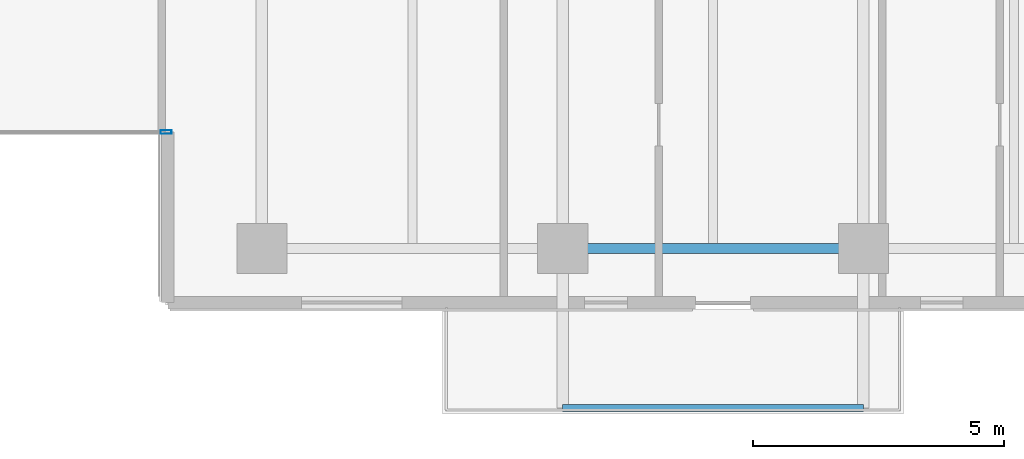
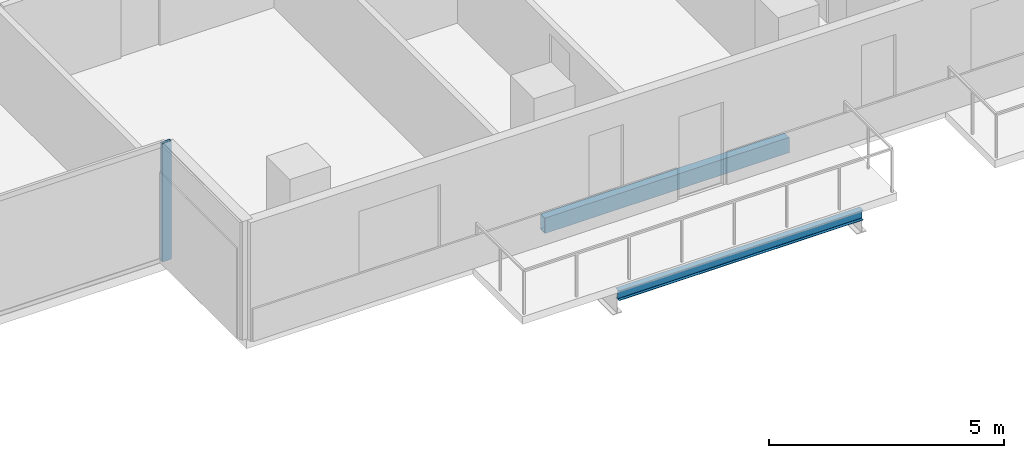
# One storey, part 4 of 23: 2 beams, 1 member, 1 element without a shape of its own.
"""IFC4 building model written with IfcOpenShell, lengths in metres."""

from ifc_helpers import new_model, si_unit, direction, frame, origin, origin_2d, place, context, subcontext, project, spatial, hollow_rectangle, i_section, extrude, material, layer, layer_set, material_profile, profile_set, type_object, element, aggregate, save


model = new_model("IFC4")

# Units and contexts
model_context = context("Model", 3, precision=1e-05, world=origin(), true_north=direction((0.0, 1.0)))
body_context = subcontext(model_context, "Body", "Model", "MODEL_VIEW")
ifc_project = project(units=[si_unit("LENGTHUNIT", "METRE"), si_unit("AREAUNIT", "SQUARE_METRE"), si_unit("VOLUMEUNIT", "CUBIC_METRE"), si_unit("PLANEANGLEUNIT", "RADIAN"), si_unit("MASSUNIT", "GRAM", prefix="KILO")], contexts=[model_context])

# Site, building, storey
site_placement = place(None, origin())
site = spatial("IfcSite", under=ifc_project, at=site_placement, CompositionType="ELEMENT")
building_placement = place(site_placement, origin())
building = spatial("IfcBuilding", under=site, at=building_placement, Name="Tanjung Sevakor Pilgrim Tower", CompositionType="ELEMENT")
storey_placement = place(building_placement, frame((0.0, 0.0, 98.669921875)))
storey = spatial("IfcBuildingStorey", under=building, at=storey_placement, Name="L27", CompositionType="ELEMENT", Elevation=98.669921875)

# Beams
ifc_material_1 = material(Name="Steel S355J2", Category="steel")
ifc_material_profile_1 = material_profile(ifc_material_1, i_section(OverallWidth=0.146484375, OverallDepth=0.256103515625, WebThickness=0.00634765625, FlangeThickness=0.010986328125, FilletRadius=0.007568359375, at=origin_2d()))
ifc_profile_set_1 = profile_set([ifc_material_profile_1], Name="Steel S355J2")
beam_type_1 = type_object("IfcBeamType", Name="BM-B-J6-UB_254x146x37", PredefinedType="JOIST", material=ifc_profile_set_1)
beam_1_placement = place(storey_placement, frame((60.0, 7.6201171875, -0.327880859375), z_axis=(1.0, 0.0, 0.0), x_axis=(0.0, 1.0, 0.0)))
element("IfcBeam", 1, at=beam_1_placement, inside=storey, type_object=beam_type_1, Name="L27 Balcony Rim Tie MAIN-S2", PredefinedType="JOIST", context=body_context, shape_type="SweptSolid", body=[
    extrude(i_section(OverallWidth=0.146484375, OverallDepth=0.256103515625, WebThickness=0.00634765625, FlangeThickness=0.010986328125, FilletRadius=0.007568359375, at=origin_2d()), origin(), (0.0, 0.0, 1.0), 6.0),
])
ifc_material_2 = material(Name="Steel S355J2", Category="steel")
ifc_material_profile_2 = material_profile(ifc_material_2, hollow_rectangle(XDim=0.199951171875, YDim=0.39990234375, WallThickness=0.01611328125, at=origin_2d()))
ifc_profile_set_2 = profile_set([ifc_material_profile_2], Name="Steel S355J2")
beam_type_2 = type_object("IfcBeamType", Name="BM-B-SP2-RHS_400x200x16", PredefinedType="SPANDREL", material=ifc_profile_set_2)
beam_2_placement = place(storey_placement, frame((60.0, 10.800048828125, -0.419921875), z_axis=(1.0, 0.0, 0.0), x_axis=(0.0, 1.0, 0.0)))
element("IfcBeam", 2, at=beam_2_placement, inside=storey, type_object=beam_type_2, Name="L27 Spandrel MAIN S-09", PredefinedType="SPANDREL", context=body_context, shape_type="SweptSolid", body=[
    extrude(hollow_rectangle(XDim=0.199951171875, YDim=0.39990234375, WallThickness=0.01611328125, at=origin_2d()), origin(), (0.0, 0.0, 1.0), 6.0),
])

# Curtain wall, member
ifc_material_3 = material(Name="Aluminium 6063-T6 and Low-E Glass", Category="aluminium")
ifc_layer = layer(ifc_material_3, 0.179931640625)
ifc_layer_set = layer_set([ifc_layer], Name="CW-SYS-CLEFT")
curtain_wall_type = type_object("IfcCurtainWallType", Name="CW-SYS-CLEFT", PredefinedType="NOTDEFINED", material=ifc_layer_set)
curtain_wall_placement = place(storey_placement, origin())
curtain_wall = element("IfcCurtainWall", 3, at=curtain_wall_placement, inside=storey, type_object=curtain_wall_type, Name="L27 Curtain Wall CW-CLF-L27-2", PredefinedType="NOTDEFINED")
ifc_material_4 = material(Name="Aluminium 6063-T6", Category="aluminium")
ifc_material_profile_3 = material_profile(ifc_material_4, hollow_rectangle(XDim=0.074951171875, YDim=0.219970703125, WallThickness=0.0048828125, at=origin_2d()))
ifc_profile_set_3 = profile_set([ifc_material_profile_3], Name="Aluminium 6063-T6")
member_type = type_object("IfcMemberType", Name="TYPE-CWM-2", PredefinedType="MULLION", material=ifc_profile_set_3)
member_placement = place(storey_placement, frame((52.08740234375, 13.125, 0.0), z_axis=(0.0, 0.0, 1.0), x_axis=(0.0, 1.0, 0.0)))
member = element("IfcMember", 4, at=member_placement, type_object=member_type, Name="CW-CLF mullion 2", PredefinedType="MULLION", context=body_context, shape_type="SweptSolid", body=[
    extrude(hollow_rectangle(XDim=0.074951171875, YDim=0.219970703125, WallThickness=0.0048828125, at=origin_2d()), origin(), (0.0, 0.0, 1.0), 3.080078125),
])
aggregate(curtain_wall, [member])

save(model, "model.ifc")
